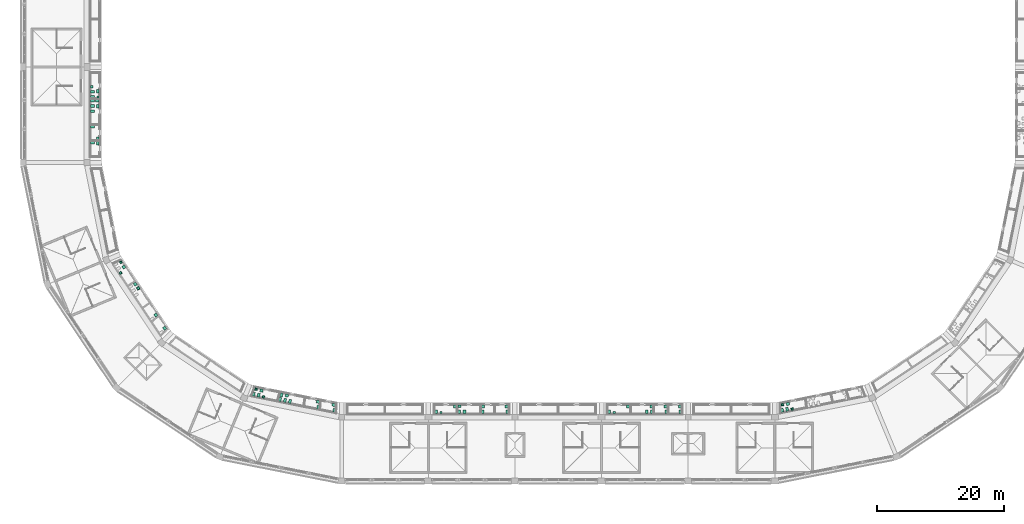
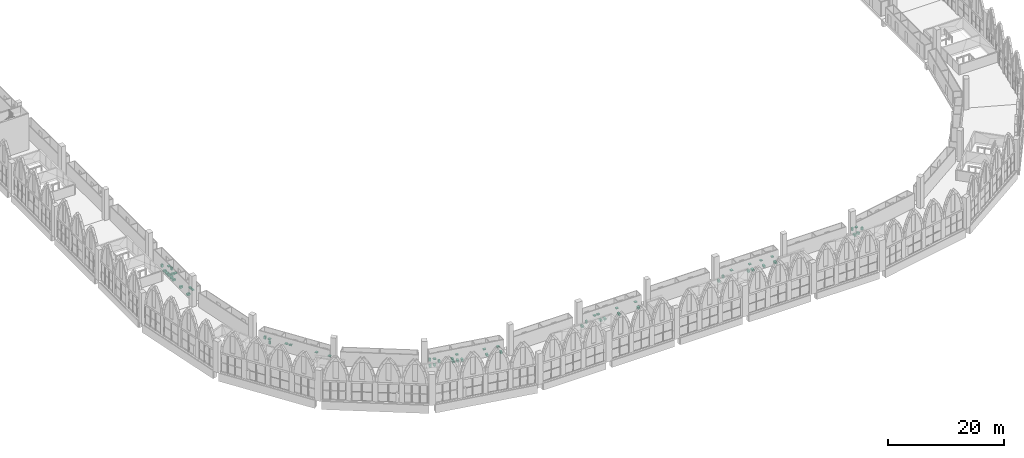
# One storey, part 124 of 130: 60 sanitary terminals.
"""IFC4 building model written with IfcOpenShell, lengths in metres."""

from ifc_helpers import new_model, si_unit, direction, frame, origin, origin_2d, place, context, subcontext, project, spatial, rectangle, extrude, material, type_object, element, save


model = new_model("IFC4")

# Units and contexts
model_context = context("Model", 3, precision=1e-05, world=origin(), true_north=direction((0.0, 1.0)))
body_context = subcontext(model_context, "Body", "Model", "MODEL_VIEW")
ifc_project = project(units=[si_unit("LENGTHUNIT", "METRE"), si_unit("AREAUNIT", "SQUARE_METRE"), si_unit("VOLUMEUNIT", "CUBIC_METRE"), si_unit("PLANEANGLEUNIT", "RADIAN"), si_unit("MASSUNIT", "GRAM", prefix="KILO")], contexts=[model_context])

# Site, building, storey
site_placement = place(None, origin())
site = spatial("IfcSite", under=ifc_project, at=site_placement, CompositionType="ELEMENT")
building_placement = place(site_placement, origin())
building = spatial("IfcBuilding", under=site, at=building_placement, Name="Ogive Plaza Stadium", CompositionType="ELEMENT")
storey_placement = place(building_placement, frame((0.0, 0.0, 22.5)))
storey = spatial("IfcBuildingStorey", under=building, at=storey_placement, Name="L05", CompositionType="ELEMENT", Elevation=22.5)

# Sanitary terminals
ifc_material_1 = material(Name="Vitreous china", Category="ceramic")
sanitary_terminal_type_1 = type_object("IfcSanitaryTerminalType", Name="Drinking fountain", PredefinedType="SANITARYFOUNTAIN", material=ifc_material_1)
for number, where, z_axis, x_axis, name in (
    (1, (-15.491943359375, -90.77490234375, 0.7998046875), (0.0, 0.0, 1.0), (1.0, 0.0, 0.0), "Drinking fountain L05-044"),
    (2, (-65.95947265625, -72.24560546875, 0.7998046875), (0.0, 0.0, 1.0), (0.55557023302, -0.831469612303, 0.0), "Drinking fountain L05-056"),
):
    element("IfcSanitaryTerminal", number, at=place(storey_placement, frame(where, z_axis=z_axis, x_axis=x_axis)), inside=storey, type_object=sanitary_terminal_type_1, Name=name, PredefinedType="SANITARYFOUNTAIN", context=body_context, shape_type="SweptSolid", body=[
        extrude(rectangle(XDim=0.449951171875, YDim=0.39990234375, at=origin_2d()), origin(), (0.0, 0.0, 1.0), 0.199951171875),
    ])
ifc_material_2 = material(Name="Vitreous china", Category="ceramic")
sanitary_terminal_type_2 = type_object("IfcSanitaryTerminalType", Name="Lavatory", PredefinedType="WASHHANDBASIN", material=ifc_material_2)
for number, where, z_axis, x_axis, name in (
    (3, (36.0625, -90.394287109375, 0.7998046875), (0.0, 0.0, 1.0), (0.980785280403, 0.195090322016, 0.0), "Lavatory L05-031"),
    (4, (10.98291015625, -90.800048828125, 0.7998046875), (0.0, 0.0, 1.0), (-1.0, 0.0, 0.0), "Lavatory L05-037"),
    (5, (-16.217041015625, -90.800048828125, 0.7998046875), (0.0, 0.0, 1.0), (-1.0, 0.0, 0.0), "Lavatory L05-043"),
    (6, (-46.59619140625, -88.298828125, 0.7998046875), (0.0, 0.0, 1.0), (0.980785280403, -0.195090322016, 0.0), "Lavatory L05-049"),
    (7, (-68.220458984375, -68.906982421875, 0.7998046875), (0.0, 0.0, 1.0), (0.55557023302, -0.831469612303, 0.0), "Lavatory L05-055"),
    (8, (-72.300048828125, -41.31689453125, 0.7998046875), (0.0, 0.0, 1.0), (0.0, 1.0, 0.0), "Lavatory L05-061"),
    (9, (14.64111328125, -90.800048828125, 0.7998046875), (0.0, 0.0, 1.0), (-1.0, 0.0, 0.0), "Lavatory L05-038"),
    (10, (-42.616943359375, -89.09033203125, 0.7998046875), (0.0, 0.0, 1.0), (0.980785280403, -0.195090322016, 0.0), "Lavatory L05-050"),
    (11, (-66.410888671875, -71.614990234375, 0.7998046875), (0.0, 0.0, 1.0), (0.55557023302, -0.831469612303, 0.0), "Lavatory L05-056"),
    (12, (-72.300048828125, -43.6669921875, 0.7998046875), (0.0, 0.0, 1.0), (0.0, -1.0, 0.0), "Lavatory L05-062"),
    (13, (16.883056640625, -90.800048828125, 0.7998046875), (0.0, 0.0, 1.0), (-1.0, 0.0, 0.0), "Lavatory L05-039"),
    (14, (19.125, -90.800048828125, 0.7998046875), (0.0, 0.0, 1.0), (-1.0, 0.0, 0.0), "Lavatory L05-040"),
    (15, (-11.80908203125, -90.800048828125, 0.7998046875), (0.0, 0.0, 1.0), (1.0, 0.0, 0.0), "Lavatory L05-045"),
    (16, (-8.074951171875, -90.800048828125, 0.7998046875), (0.0, 0.0, 1.0), (-1.0, 0.0, 0.0), "Lavatory L05-046"),
    (17, (-37.716552734375, -90.065185546875, 0.7998046875), (0.0, 0.0, 1.0), (-0.980785280403, 0.195090322016, 0.0), "Lavatory L05-051"),
    (18, (-35.277587890625, -90.55029296875, 0.7998046875), (0.0, 0.0, 1.0), (-0.980785280403, 0.195090322016, 0.0), "Lavatory L05-052"),
    (19, (-63.190673828125, -76.4345703125, 0.7998046875), (0.0, 0.0, 1.0), (-0.55557023302, 0.831469612303, 0.0), "Lavatory L05-057"),
    (20, (-61.80908203125, -78.502197265625, 0.7998046875), (0.0, 0.0, 1.0), (-0.55557023302, 0.831469612303, 0.0), "Lavatory L05-058"),
    (21, (-72.300048828125, -48.717041015625, 0.7998046875), (0.0, 0.0, 1.0), (0.0, 1.0, 0.0), "Lavatory L05-063"),
    (22, (-72.300048828125, -49.467041015625, 0.7998046875), (0.0, 0.0, 1.0), (0.0, -1.0, 0.0), "Lavatory L05-064"),
):
    element("IfcSanitaryTerminal", number, at=place(storey_placement, frame(where, z_axis=z_axis, x_axis=x_axis)), inside=storey, type_object=sanitary_terminal_type_2, Name=name, PredefinedType="WASHHANDBASIN", context=body_context, shape_type="SweptSolid", body=[
        extrude(rectangle(XDim=0.5, YDim=0.449951171875, at=origin_2d()), origin(), (0.0, 0.0, 1.0), 0.199951171875),
    ])
ifc_material_3 = material(Name="Vitreous china", Category="ceramic")
sanitary_terminal_type_3 = type_object("IfcSanitaryTerminalType", Name="Urinal", PredefinedType="URINAL", material=ifc_material_3)
for number, where, z_axis, x_axis, name in (
    (23, (36.728759765625, -91.203857421875, 0.599853515625), (0.0, 0.0, 1.0), (0.980785280403, 0.195090322016, 0.0), "Urinal L05-031"),
    (24, (35.1943359375, -90.515869140625, 0.599853515625), (0.0, 0.0, 1.0), (0.980785280403, 0.195090322016, 0.0), "Urinal L05-031"),
    (25, (8.800048828125, -91.75, 0.599853515625), (0.0, 0.0, 1.0), (1.0, 0.0, 0.0), "Urinal L05-037"),
    (26, (-18.39990234375, -91.75, 0.599853515625), (0.0, 0.0, 1.0), (1.0, 0.0, 0.0), "Urinal L05-043"),
    (27, (-46.290283203125, -89.302001953125, 0.599853515625), (0.0, 0.0, 1.0), (0.980785280403, -0.195090322016, 0.0), "Urinal L05-049"),
    (28, (-47.444580078125, -88.0791015625, 0.599853515625), (0.0, 0.0, 1.0), (0.980785280403, -0.195090322016, 0.0), "Urinal L05-049"),
    (29, (-68.71337890625, -69.832275390625, 0.599853515625), (0.0, 0.0, 1.0), (0.55557023302, -0.831469612303, 0.0), "Urinal L05-055"),
    (30, (-68.6650390625, -68.151611328125, 0.599853515625), (0.0, 0.0, 1.0), (0.55557023302, -0.831469612303, 0.0), "Urinal L05-055"),
    (31, (-73.25, -40.592041015625, 0.599853515625), (0.0, 0.0, 1.0), (0.0, 1.0, 0.0), "Urinal L05-061"),
    (32, (-72.25, -42.19189453125, 0.599853515625), (0.0, 0.0, 1.0), (0.0, 1.0, 0.0), "Urinal L05-061"),
):
    element("IfcSanitaryTerminal", number, at=place(storey_placement, frame(where, z_axis=z_axis, x_axis=x_axis)), inside=storey, type_object=sanitary_terminal_type_3, Name=name, PredefinedType="URINAL", context=body_context, shape_type="SweptSolid", body=[
        extrude(rectangle(XDim=0.35009765625, YDim=0.35009765625, at=origin_2d()), origin(), (0.0, 0.0, 1.0), 0.60009765625),
    ])
ifc_material_4 = material(Name="Vitreous china", Category="ceramic")
sanitary_terminal_type_4 = type_object("IfcSanitaryTerminalType", Name="Water closet", PredefinedType="TOILETPAN", material=ifc_material_4)
for number, where, z_axis, x_axis, name in (
    (33, (35.15966796875, -91.388427734375, 0.0), (0.0, 0.0, 1.0), (0.980785280403, 0.195090322016, 0.0), "Water closet L05-031"),
    (34, (35.944091796875, -91.232421875, 0.0), (0.0, 0.0, 1.0), (0.980785280403, 0.195090322016, 0.0), "Water closet L05-031"),
    (35, (8.02490234375, -91.625, 0.0), (0.0, 0.0, 1.0), (1.0, 0.0, 0.0), "Water closet L05-037"),
    (36, (-19.175048828125, -91.625, 0.0), (0.0, 0.0, 1.0), (1.0, 0.0, 0.0), "Water closet L05-043"),
    (37, (-47.810546875, -88.8720703125, 0.0), (0.0, 0.0, 1.0), (0.980785280403, -0.195090322016, 0.0), "Water closet L05-049"),
    (38, (-47.02587890625, -89.028076171875, 0.0), (0.0, 0.0, 1.0), (0.980785280403, -0.195090322016, 0.0), "Water closet L05-049"),
    (39, (-73.125, -42.1669921875, 0.0), (0.0, 0.0, 1.0), (0.0, 1.0, 0.0), "Water closet L05-061"),
    (40, (-73.125, -41.366943359375, 0.0), (0.0, 0.0, 1.0), (0.0, 1.0, 0.0), "Water closet L05-061"),
    (41, (14.69091796875, -91.625, 0.0), (0.0, 0.0, 1.0), (-1.0, 0.0, 0.0), "Water closet L05-038"),
    (42, (13.89111328125, -91.625, 0.0), (0.0, 0.0, 1.0), (-1.0, 0.0, 0.0), "Water closet L05-038"),
    (43, (-15.51708984375, -91.625, 0.0), (0.0, 0.0, 1.0), (1.0, 0.0, 0.0), "Water closet L05-044"),
    (44, (-14.717041015625, -91.625, 0.0), (0.0, 0.0, 1.0), (1.0, 0.0, 0.0), "Water closet L05-044"),
    (45, (-43.6904296875, -89.691650390625, 0.0), (0.0, 0.0, 1.0), (0.980785280403, -0.195090322016, 0.0), "Water closet L05-050"),
    (46, (-42.90576171875, -89.84765625, 0.0), (0.0, 0.0, 1.0), (0.980785280403, -0.195090322016, 0.0), "Water closet L05-050"),
    (47, (-42.12109375, -90.003662109375, 0.0), (0.0, 0.0, 1.0), (0.980785280403, -0.195090322016, 0.0), "Water closet L05-050"),
    (48, (-43.465087890625, -88.998046875, 0.0), (0.0, 0.0, 1.0), (0.980785280403, -0.195090322016, 0.0), "Water closet L05-050"),
    (49, (-73.125, -42.81689453125, 0.0), (0.0, 0.0, 1.0), (0.0, -1.0, 0.0), "Water closet L05-062"),
    (50, (-73.125, -43.616943359375, 0.0), (0.0, 0.0, 1.0), (0.0, -1.0, 0.0), "Water closet L05-062"),
    (51, (-73.125, -44.4169921875, 0.0), (0.0, 0.0, 1.0), (0.0, -1.0, 0.0), "Water closet L05-062"),
    (52, (-72.375, -42.81689453125, 0.0), (0.0, 0.0, 1.0), (0.0, -1.0, 0.0), "Water closet L05-062"),
    (53, (16.93310546875, -91.625, 0.0), (0.0, 0.0, 1.0), (-1.0, 0.0, 0.0), "Water closet L05-039"),
    (54, (19.175048828125, -91.625, 0.0), (0.0, 0.0, 1.0), (-1.0, 0.0, 0.0), "Water closet L05-040"),
    (55, (-11.85888671875, -91.625, 0.0), (0.0, 0.0, 1.0), (1.0, 0.0, 0.0), "Water closet L05-045"),
    (56, (-8.02490234375, -91.625, 0.0), (0.0, 0.0, 1.0), (-1.0, 0.0, 0.0), "Water closet L05-046"),
    (57, (-37.684814453125, -90.885986328125, 0.0), (0.0, 0.0, 1.0), (-0.980785280403, 0.195090322016, 0.0), "Water closet L05-051"),
    (58, (-35.15966796875, -91.388427734375, 0.0), (0.0, 0.0, 1.0), (-0.980785280403, 0.195090322016, 0.0), "Water closet L05-052"),
    (59, (-73.125, -46.908935546875, 0.0), (0.0, 0.0, 1.0), (0.0, -1.0, 0.0), "Water closet L05-063"),
    (60, (-73.125, -49.4169921875, 0.0), (0.0, 0.0, 1.0), (0.0, -1.0, 0.0), "Water closet L05-064"),
):
    element("IfcSanitaryTerminal", number, at=place(storey_placement, frame(where, z_axis=z_axis, x_axis=x_axis)), inside=storey, type_object=sanitary_terminal_type_4, Name=name, PredefinedType="TOILETPAN", context=body_context, shape_type="SweptSolid", body=[
        extrude(rectangle(XDim=0.39990234375, YDim=0.60009765625, at=origin_2d()), origin(), (0.0, 0.0, 1.0), 0.39990234375),
    ])

save(model, "model.ifc")
